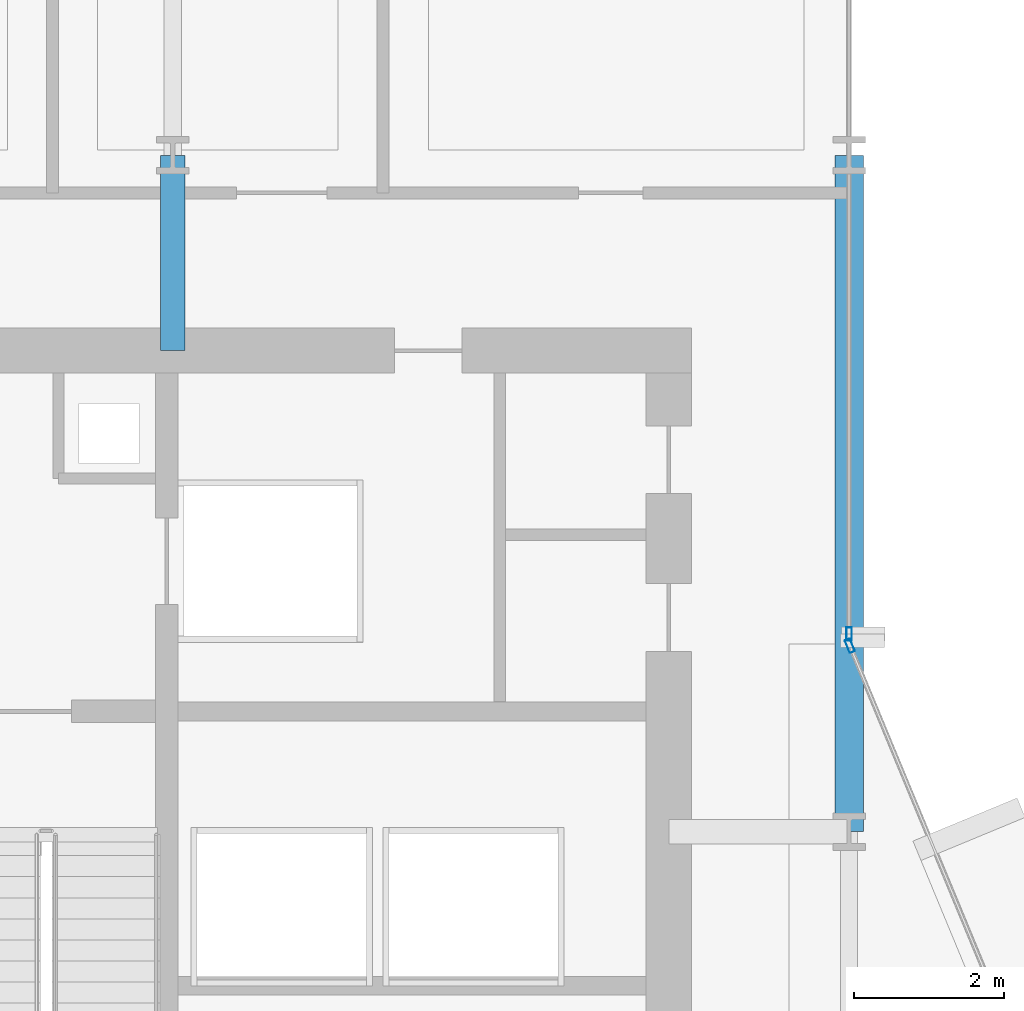
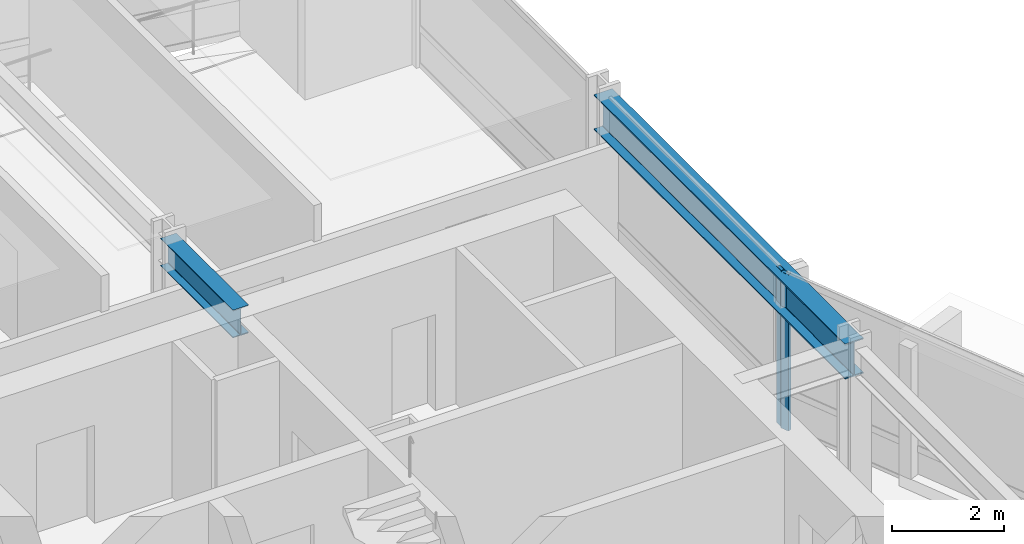
# One storey, part 21 of 34: 2 beams, 2 members, 2 elements without a shape of their own.
"""IFC4 building model written with IfcOpenShell, lengths in metres."""

from ifc_helpers import new_model, si_unit, direction, frame, origin, origin_2d, place, context, subcontext, project, spatial, hollow_rectangle, i_section, extrude, material, layer, layer_set, material_profile, profile_set, type_object, element, aggregate, save


model = new_model("IFC4")

# Units and contexts
model_context = context("Model", 3, precision=1e-05, world=origin(), true_north=direction((0.0, 1.0)))
body_context = subcontext(model_context, "Body", "Model", "MODEL_VIEW")
ifc_project = project(units=[si_unit("LENGTHUNIT", "METRE"), si_unit("AREAUNIT", "SQUARE_METRE"), si_unit("VOLUMEUNIT", "CUBIC_METRE"), si_unit("PLANEANGLEUNIT", "RADIAN"), si_unit("MASSUNIT", "GRAM", prefix="KILO")], contexts=[model_context])

# Site, building, storey
site_placement = place(None, origin())
site = spatial("IfcSite", under=ifc_project, at=site_placement, CompositionType="ELEMENT")
building_placement = place(site_placement, origin())
building = spatial("IfcBuilding", under=site, at=building_placement, Name="Solvaryn Broadcast Tower", CompositionType="ELEMENT")
storey_placement = place(building_placement, frame((0.0, 0.0, 50.800048828125)))
storey = spatial("IfcBuildingStorey", under=building, at=storey_placement, Name="L11", CompositionType="ELEMENT", Elevation=50.800048828125)

# Beams
ifc_material_1 = material(Name="Steel ASTM A992 Grade 50", Category="steel")
ifc_material_profile_1 = material_profile(ifc_material_1, i_section(OverallWidth=0.323974609375, OverallDepth=0.611083984375, WebThickness=0.0126953125, FlangeThickness=0.01904296875, FilletRadius=0.014892578125, at=origin_2d()))
ifc_profile_set_1 = profile_set([ifc_material_profile_1], Name="Steel ASTM A992 Grade 50")
beam_type_1 = type_object("IfcBeamType", Name="BM-B1-W24X104", PredefinedType="BEAM", material=ifc_profile_set_1)
beam_1_placement = place(storey_placement, frame((18.0, 42.39990234375, 3.114501953125), z_axis=(0.0, 1.0, 0.0), x_axis=(-1.0, 0.0, 0.0)))
element("IfcBeam", 1, at=beam_1_placement, inside=storey, type_object=beam_type_1, Name="L11 Core Tie Beam CTW3", PredefinedType="BEAM", context=body_context, shape_type="SweptSolid", body=[
    extrude(i_section(OverallWidth=0.323974609375, OverallDepth=0.611083984375, WebThickness=0.0126953125, FlangeThickness=0.01904296875, FilletRadius=0.014892578125, at=origin_2d()), origin(), (0.0, 0.0, 1.0), 2.60009765625),
])
ifc_material_2 = material(Name="Steel ASTM A992 Grade 50", Category="steel")
ifc_material_profile_2 = material_profile(ifc_material_2, i_section(OverallWidth=0.381103515625, OverallDepth=0.77294921875, WebThickness=0.0166015625, FlangeThickness=0.027099609375, FilletRadius=0.01806640625, at=origin_2d()))
ifc_profile_set_2 = profile_set([ifc_material_profile_2], Name="Steel ASTM A992 Grade 50")
beam_type_2 = type_object("IfcBeamType", Name="BM-SP1-W30X173", PredefinedType="USERDEFINED", material=ifc_profile_set_2)
beam_2_placement = place(storey_placement, frame((27.0, 36.0, 3.033447265625), z_axis=(0.0, 1.0, 0.0), x_axis=(-1.0, 0.0, 0.0)))
element("IfcBeam", 2, at=beam_2_placement, inside=storey, type_object=beam_type_2, Name="L11 Spandrel Beam Y (36-45 @ X=27)", ObjectType="SPANDREL", PredefinedType="USERDEFINED", context=body_context, shape_type="SweptSolid", body=[
    extrude(i_section(OverallWidth=0.381103515625, OverallDepth=0.77294921875, WebThickness=0.0166015625, FlangeThickness=0.027099609375, FilletRadius=0.01806640625, at=origin_2d()), origin(), (0.0, 0.0, 1.0), 9.0),
])

# Curtain wall, member
ifc_material_3 = material(Name="Aluminium and Terracotta Unitised Curtain Wall", Category="masonry")
ifc_layer = layer(ifc_material_3, 0.199951171875)
ifc_layer_set = layer_set([ifc_layer], Name="CW-SYS2-LOWMID")
curtain_wall_type = type_object("IfcCurtainWallType", Name="CW-SYS2-LOWMID", PredefinedType="NOTDEFINED", material=ifc_layer_set)
curtain_wall_1_placement = place(storey_placement, origin())
curtain_wall_1 = element("IfcCurtainWall", 3, at=curtain_wall_1_placement, inside=storey, type_object=curtain_wall_type, Name="L11 Curtain Wall IV", PredefinedType="NOTDEFINED")
ifc_material_4 = material(Name="Anodised Aluminium 6063-T6", Category="aluminium")
ifc_material_profile_3 = material_profile(ifc_material_4, hollow_rectangle(XDim=0.074951171875, YDim=0.179931640625, WallThickness=0.00390625, InnerFilletRadius=0.00390625, OuterFilletRadius=0.008056640625, at=origin_2d()))
ifc_profile_set_3 = profile_set([ifc_material_profile_3], Name="Anodised Aluminium 6063-T6")
member_type = type_object("IfcMemberType", Name="CW-MUL-180", PredefinedType="MULLION", material=ifc_profile_set_3)
member_1_placement = place(storey_placement, frame((27.0, 38.6298828125, 0.0), z_axis=(0.0, 0.0, 1.0), x_axis=(1.0, 0.0, 0.0)))
member_1 = element("IfcMember", 4, at=member_1_placement, type_object=member_type, Name="CWS2 mullion 2", PredefinedType="MULLION", context=body_context, shape_type="SweptSolid", body=[
    extrude(hollow_rectangle(XDim=0.074951171875, YDim=0.179931640625, WallThickness=0.00390625, InnerFilletRadius=0.00390625, OuterFilletRadius=0.008056640625, at=origin_2d()), origin(), (0.0, 0.0, 1.0), 3.419921875),
])
aggregate(curtain_wall_1, [member_1])

curtain_wall_2_placement = place(storey_placement, origin())
curtain_wall_2 = element("IfcCurtainWall", 5, at=curtain_wall_2_placement, inside=storey, type_object=curtain_wall_type, Name="L11 Curtain Wall CN2", PredefinedType="NOTDEFINED")
member_2_placement = place(storey_placement, frame((27.011474609375, 38.47216796875, 0.0), z_axis=(0.0, 0.0, 1.0), x_axis=(-0.923894983957, -0.382646127145, 0.0)))
member_2 = element("IfcMember", 6, at=member_2_placement, type_object=member_type, Name="CWS2 mullion 2", PredefinedType="MULLION", context=body_context, shape_type="SweptSolid", body=[
    extrude(hollow_rectangle(XDim=0.074951171875, YDim=0.179931640625, WallThickness=0.00390625, InnerFilletRadius=0.00390625, OuterFilletRadius=0.008056640625, at=origin_2d()), origin(), (0.0, 0.0, 1.0), 3.419921875),
])
aggregate(curtain_wall_2, [member_2])

save(model, "model.ifc")
